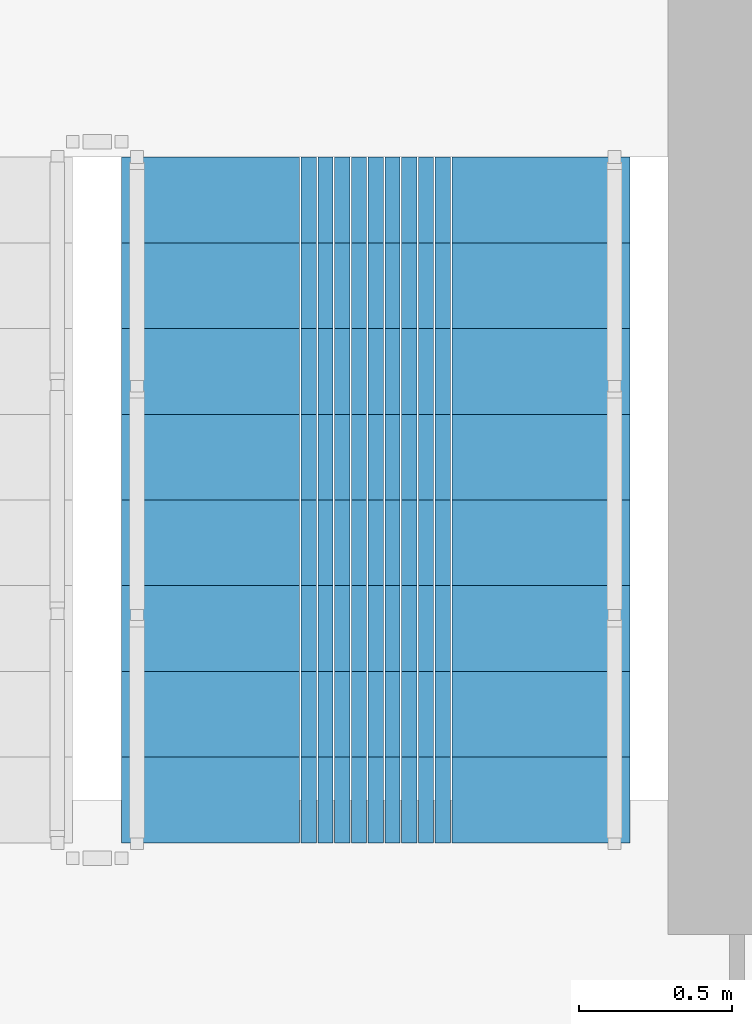
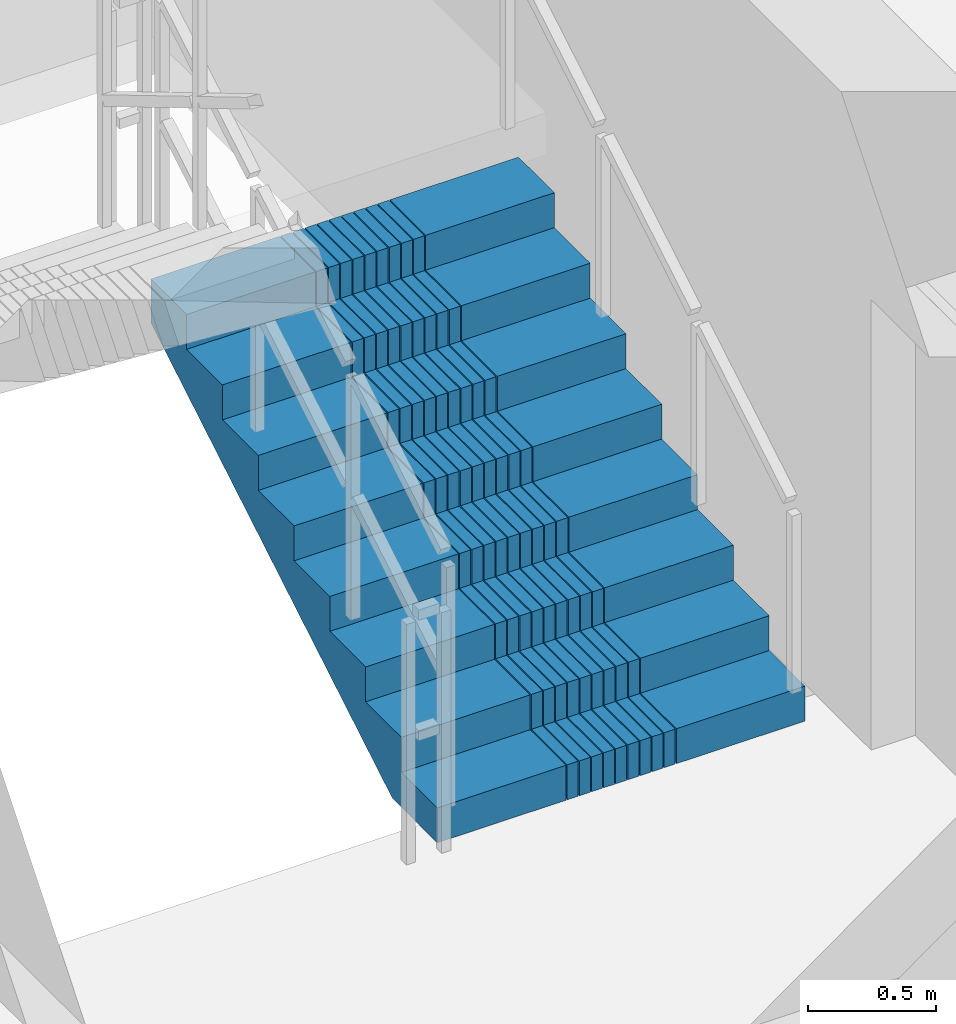
# One storey, part 17 of 22: 1 stair flight, 1 element without a shape of its own.
"""IFC4 building model written with IfcOpenShell, lengths in metres."""

from ifc_helpers import new_model, si_unit, direction, frame, origin, place, context, subcontext, project, spatial, polyline, outline, extrude, material, type_object, element, aggregate, save


model = new_model("IFC4")

# Units and contexts
model_context = context("Model", 3, precision=1e-05, world=origin(), true_north=direction((0.0, 1.0)))
body_context = subcontext(model_context, "Body", "Model", "MODEL_VIEW")
ifc_project = project(units=[si_unit("LENGTHUNIT", "METRE"), si_unit("AREAUNIT", "SQUARE_METRE"), si_unit("VOLUMEUNIT", "CUBIC_METRE"), si_unit("PLANEANGLEUNIT", "RADIAN"), si_unit("MASSUNIT", "GRAM", prefix="KILO")], contexts=[model_context])

# Site, building, storey
site_placement = place(None, origin())
site = spatial("IfcSite", under=ifc_project, at=site_placement, CompositionType="ELEMENT")
building_placement = place(site_placement, origin())
building = spatial("IfcBuilding", under=site, at=building_placement, Name="Saelheon Loggia Tower", CompositionType="ELEMENT")
storey_placement = place(building_placement, frame((0.0, 0.0, 196.60009765625)))
storey = spatial("IfcBuildingStorey", under=building, at=storey_placement, Name="L61", CompositionType="ELEMENT", Elevation=196.60009765625)

# Stair, stair flight
ifc_material = material(Name="Concrete C40/50", Category="concrete")
stair_type = type_object("IfcStairType", Name="Stair_Escape_Core", PredefinedType="HALF_TURN_STAIR", material=ifc_material)
stair_placement = place(storey_placement, origin())
stair = element("IfcStair", 1, at=stair_placement, inside=storey, type_object=stair_type, Name="L61 Special Escape Stair ST2", PredefinedType="HALF_TURN_STAIR")
stair_flight_type = type_object("IfcStairFlightType", Name="StairFlight_Tower_1660", PredefinedType="STRAIGHT", material=ifc_material)
stair_flight_placement = place(storey_placement, frame((43.320068359375, 30.449951171875, 0.0), z_axis=(0.0, 0.0, 1.0), x_axis=(0.0, 1.0, 0.0)))
stair_flight = element("IfcStairFlight", 2, at=stair_flight_placement, type_object=stair_flight_type, Name="ST2 flight 1", NumberOfRisers=9, NumberOfTreads=8, PredefinedType="STRAIGHT", RiserHeight=0.166666667, TreadLength=0.28, context=body_context, shape_type="SweptSolid", body=[
    extrude(outline(polyline([(0.0, 0.0), (0.0, 0.166748046875), (0.280029296875, 0.166748046875), (0.280029296875, 0.333251953125), (0.56005859375, 0.333251953125), (0.56005859375, 0.5), (0.840087890625, 0.5), (0.840087890625, 0.666748046875), (1.1201171875, 0.666748046875), (1.1201171875, 0.833251953125), (1.39990234375, 0.833251953125), (1.39990234375, 1.0), (1.679931640625, 1.0), (1.679931640625, 1.166748046875), (1.9599609375, 1.166748046875), (1.9599609375, 1.333251953125), (2.239990234375, 1.333251953125), (2.239990234375, 1.5), (2.239990234375, 1.1240234375), (0.351806640625, 0.0), (0.0, 0.0)])), frame((0.0, -0.2490234375, 0.0), z_axis=(0.0, -1.0, 0.0), x_axis=(1.0, 0.0, 0.0)), (0.0, 0.0, 1.0), 0.5810546875),
    extrude(outline(polyline([(0.0, 0.0), (0.0, 0.166748046875), (0.280029296875, 0.166748046875), (0.280029296875, 0.333251953125), (0.56005859375, 0.333251953125), (0.56005859375, 0.5), (0.840087890625, 0.5), (0.840087890625, 0.666748046875), (1.1201171875, 0.666748046875), (1.1201171875, 0.833251953125), (1.39990234375, 0.833251953125), (1.39990234375, 1.0), (1.679931640625, 1.0), (1.679931640625, 1.166748046875), (1.9599609375, 1.166748046875), (1.9599609375, 1.333251953125), (2.239990234375, 1.333251953125), (2.239990234375, 1.5), (2.239990234375, 1.1240234375), (0.351806640625, 0.0), (0.0, 0.0)])), frame((0.0, -0.194091796875, 0.0), z_axis=(0.0, -1.0, 0.0), x_axis=(1.0, 0.0, 0.0)), (0.0, 0.0, 1.0), 0.0498046875),
    extrude(outline(polyline([(0.0, 0.0), (0.0, 0.166748046875), (0.280029296875, 0.166748046875), (0.280029296875, 0.333251953125), (0.56005859375, 0.333251953125), (0.56005859375, 0.5), (0.840087890625, 0.5), (0.840087890625, 0.666748046875), (1.1201171875, 0.666748046875), (1.1201171875, 0.833251953125), (1.39990234375, 0.833251953125), (1.39990234375, 1.0), (1.679931640625, 1.0), (1.679931640625, 1.166748046875), (1.9599609375, 1.166748046875), (1.9599609375, 1.333251953125), (2.239990234375, 1.333251953125), (2.239990234375, 1.5), (2.239990234375, 1.1240234375), (0.351806640625, 0.0), (0.0, 0.0)])), frame((0.0, -0.139404296875, 0.0), z_axis=(0.0, -1.0, 0.0), x_axis=(1.0, 0.0, 0.0)), (0.0, 0.0, 1.0), 0.0498046875),
    extrude(outline(polyline([(0.0, 0.0), (0.0, 0.166748046875), (0.280029296875, 0.166748046875), (0.280029296875, 0.333251953125), (0.56005859375, 0.333251953125), (0.56005859375, 0.5), (0.840087890625, 0.5), (0.840087890625, 0.666748046875), (1.1201171875, 0.666748046875), (1.1201171875, 0.833251953125), (1.39990234375, 0.833251953125), (1.39990234375, 1.0), (1.679931640625, 1.0), (1.679931640625, 1.166748046875), (1.9599609375, 1.166748046875), (1.9599609375, 1.333251953125), (2.239990234375, 1.333251953125), (2.239990234375, 1.5), (2.239990234375, 1.1240234375), (0.351806640625, 0.0), (0.0, 0.0)])), frame((0.0, -0.084716796875, 0.0), z_axis=(0.0, -1.0, 0.0), x_axis=(1.0, 0.0, 0.0)), (0.0, 0.0, 1.0), 0.0498046875),
    extrude(outline(polyline([(0.0, 0.0), (0.0, 0.166748046875), (0.280029296875, 0.166748046875), (0.280029296875, 0.333251953125), (0.56005859375, 0.333251953125), (0.56005859375, 0.5), (0.840087890625, 0.5), (0.840087890625, 0.666748046875), (1.1201171875, 0.666748046875), (1.1201171875, 0.833251953125), (1.39990234375, 0.833251953125), (1.39990234375, 1.0), (1.679931640625, 1.0), (1.679931640625, 1.166748046875), (1.9599609375, 1.166748046875), (1.9599609375, 1.333251953125), (2.239990234375, 1.333251953125), (2.239990234375, 1.5), (2.239990234375, 1.1240234375), (0.351806640625, 0.0), (0.0, 0.0)])), frame((0.0, -0.02978515625, 0.0), z_axis=(0.0, -1.0, 0.0), x_axis=(1.0, 0.0, 0.0)), (0.0, 0.0, 1.0), 0.0498046875),
    extrude(outline(polyline([(0.0, 0.0), (0.0, 0.166748046875), (0.280029296875, 0.166748046875), (0.280029296875, 0.333251953125), (0.56005859375, 0.333251953125), (0.56005859375, 0.5), (0.840087890625, 0.5), (0.840087890625, 0.666748046875), (1.1201171875, 0.666748046875), (1.1201171875, 0.833251953125), (1.39990234375, 0.833251953125), (1.39990234375, 1.0), (1.679931640625, 1.0), (1.679931640625, 1.166748046875), (1.9599609375, 1.166748046875), (1.9599609375, 1.333251953125), (2.239990234375, 1.333251953125), (2.239990234375, 1.5), (2.239990234375, 1.1240234375), (0.351806640625, 0.0), (0.0, 0.0)])), frame((0.0, 0.02490234375, 0.0), z_axis=(0.0, -1.0, 0.0), x_axis=(1.0, 0.0, 0.0)), (0.0, 0.0, 1.0), 0.0498046875),
    extrude(outline(polyline([(0.0, 0.0), (0.0, 0.166748046875), (0.280029296875, 0.166748046875), (0.280029296875, 0.333251953125), (0.56005859375, 0.333251953125), (0.56005859375, 0.5), (0.840087890625, 0.5), (0.840087890625, 0.666748046875), (1.1201171875, 0.666748046875), (1.1201171875, 0.833251953125), (1.39990234375, 0.833251953125), (1.39990234375, 1.0), (1.679931640625, 1.0), (1.679931640625, 1.166748046875), (1.9599609375, 1.166748046875), (1.9599609375, 1.333251953125), (2.239990234375, 1.333251953125), (2.239990234375, 1.5), (2.239990234375, 1.1240234375), (0.351806640625, 0.0), (0.0, 0.0)])), frame((0.0, 0.07958984375, 0.0), z_axis=(0.0, -1.0, 0.0), x_axis=(1.0, 0.0, 0.0)), (0.0, 0.0, 1.0), 0.0498046875),
    extrude(outline(polyline([(0.0, 0.0), (0.0, 0.166748046875), (0.280029296875, 0.166748046875), (0.280029296875, 0.333251953125), (0.56005859375, 0.333251953125), (0.56005859375, 0.5), (0.840087890625, 0.5), (0.840087890625, 0.666748046875), (1.1201171875, 0.666748046875), (1.1201171875, 0.833251953125), (1.39990234375, 0.833251953125), (1.39990234375, 1.0), (1.679931640625, 1.0), (1.679931640625, 1.166748046875), (1.9599609375, 1.166748046875), (1.9599609375, 1.333251953125), (2.239990234375, 1.333251953125), (2.239990234375, 1.5), (2.239990234375, 1.1240234375), (0.351806640625, 0.0), (0.0, 0.0)])), frame((0.0, 0.134521484375, 0.0), z_axis=(0.0, -1.0, 0.0), x_axis=(1.0, 0.0, 0.0)), (0.0, 0.0, 1.0), 0.0498046875),
    extrude(outline(polyline([(0.0, 0.0), (0.0, 0.166748046875), (0.280029296875, 0.166748046875), (0.280029296875, 0.333251953125), (0.56005859375, 0.333251953125), (0.56005859375, 0.5), (0.840087890625, 0.5), (0.840087890625, 0.666748046875), (1.1201171875, 0.666748046875), (1.1201171875, 0.833251953125), (1.39990234375, 0.833251953125), (1.39990234375, 1.0), (1.679931640625, 1.0), (1.679931640625, 1.166748046875), (1.9599609375, 1.166748046875), (1.9599609375, 1.333251953125), (2.239990234375, 1.333251953125), (2.239990234375, 1.5), (2.239990234375, 1.1240234375), (0.351806640625, 0.0), (0.0, 0.0)])), frame((0.0, 0.189208984375, 0.0), z_axis=(0.0, -1.0, 0.0), x_axis=(1.0, 0.0, 0.0)), (0.0, 0.0, 1.0), 0.0498046875),
    extrude(outline(polyline([(0.0, 0.0), (0.0, 0.166748046875), (0.280029296875, 0.166748046875), (0.280029296875, 0.333251953125), (0.56005859375, 0.333251953125), (0.56005859375, 0.5), (0.840087890625, 0.5), (0.840087890625, 0.666748046875), (1.1201171875, 0.666748046875), (1.1201171875, 0.833251953125), (1.39990234375, 0.833251953125), (1.39990234375, 1.0), (1.679931640625, 1.0), (1.679931640625, 1.166748046875), (1.9599609375, 1.166748046875), (1.9599609375, 1.333251953125), (2.239990234375, 1.333251953125), (2.239990234375, 1.5), (2.239990234375, 1.1240234375), (0.351806640625, 0.0), (0.0, 0.0)])), frame((0.0, 0.243896484375, 0.0), z_axis=(0.0, -1.0, 0.0), x_axis=(1.0, 0.0, 0.0)), (0.0, 0.0, 1.0), 0.0498046875),
    extrude(outline(polyline([(0.0, 0.0), (0.0, 0.166748046875), (0.280029296875, 0.166748046875), (0.280029296875, 0.333251953125), (0.56005859375, 0.333251953125), (0.56005859375, 0.5), (0.840087890625, 0.5), (0.840087890625, 0.666748046875), (1.1201171875, 0.666748046875), (1.1201171875, 0.833251953125), (1.39990234375, 0.833251953125), (1.39990234375, 1.0), (1.679931640625, 1.0), (1.679931640625, 1.166748046875), (1.9599609375, 1.166748046875), (1.9599609375, 1.333251953125), (2.239990234375, 1.333251953125), (2.239990234375, 1.5), (2.239990234375, 1.1240234375), (0.351806640625, 0.0), (0.0, 0.0)])), frame((0.0, 0.830078125, 0.0), z_axis=(0.0, -1.0, 0.0), x_axis=(1.0, 0.0, 0.0)), (0.0, 0.0, 1.0), 0.5810546875),
])
aggregate(stair, [stair_flight])

save(model, "model.ifc")
